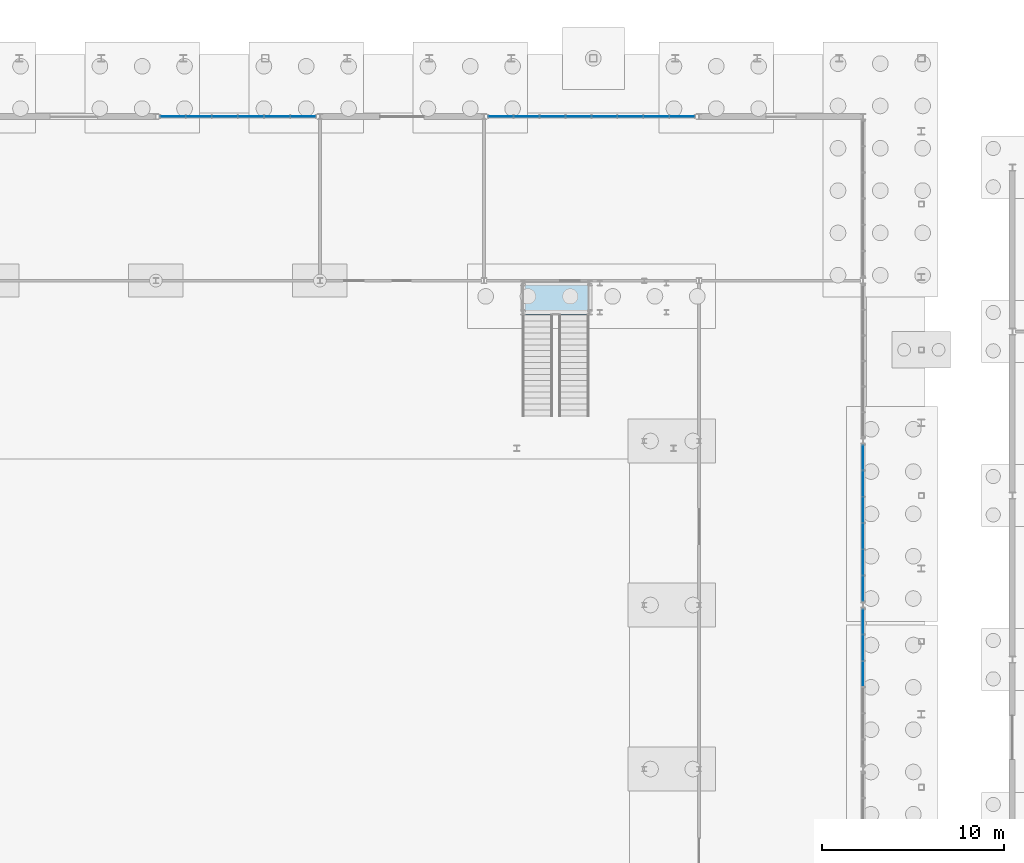
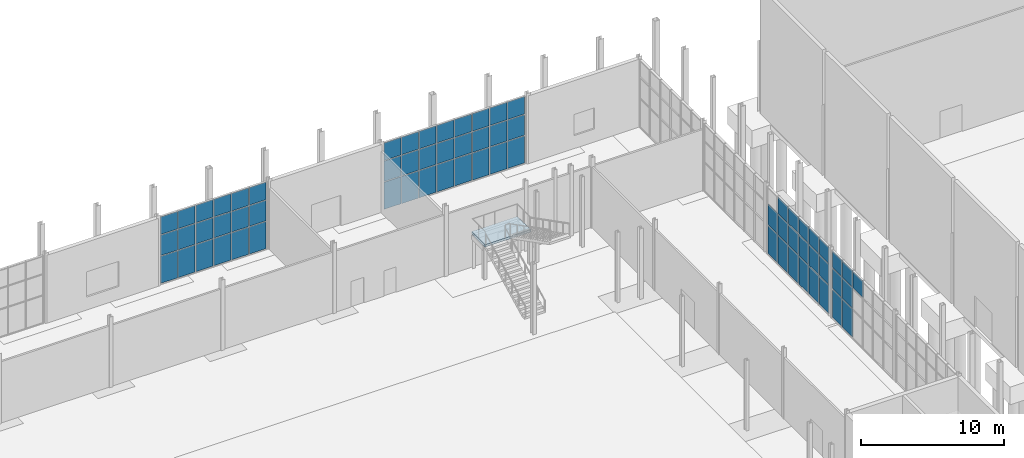
# One storey, part 95 of 131: 66 plates, 1 slab, 5 elements without a shape of their own.
"""IFC4 building model written with IfcOpenShell, lengths in metres."""

from ifc_helpers import new_model, si_unit, direction, frame, origin, origin_2d, place, context, subcontext, project, spatial, polyline, rectangle, outline, extrude, material, layer, layer_set, type_object, element, aggregate, save


model = new_model("IFC4")

# Units and contexts
model_context = context("Model", 3, precision=1e-05, world=origin(), true_north=direction((0.0, 1.0)))
body_context = subcontext(model_context, "Body", "Model", "MODEL_VIEW")
ifc_project = project(units=[si_unit("LENGTHUNIT", "METRE"), si_unit("AREAUNIT", "SQUARE_METRE"), si_unit("VOLUMEUNIT", "CUBIC_METRE"), si_unit("PLANEANGLEUNIT", "RADIAN"), si_unit("MASSUNIT", "GRAM", prefix="KILO")], contexts=[model_context])

# Site, building, storey
site_placement = place(None, origin())
site = spatial("IfcSite", under=ifc_project, at=site_placement, CompositionType="ELEMENT")
building_placement = place(site_placement, origin())
building = spatial("IfcBuilding", under=site, at=building_placement, Name="Cazmaro Siding Exhibition Halls", CompositionType="ELEMENT")
storey_placement = place(building_placement, origin())
storey = spatial("IfcBuildingStorey", under=building, at=storey_placement, Name="L00", CompositionType="ELEMENT", Elevation=0.0)

# Curtain wall, plates
ifc_material_1 = material(Name="Anodized Bronze Aluminum and Solar-Control Low-E Glazing", Category="aluminium")
ifc_layer_1 = layer(ifc_material_1, 0.179931640625)
ifc_layer_set_1 = layer_set([ifc_layer_1], Name="Anodized Bronze Aluminum and Solar-Control Low-E Glazing")
curtain_wall_type_1 = type_object("IfcCurtainWallType", Name="CWS-01", PredefinedType="USERDEFINED", material=ifc_layer_set_1)
curtain_wall_1_placement = place(storey_placement, origin())
curtain_wall_1 = element("IfcCurtainWall", 1, at=curtain_wall_1_placement, inside=storey, type_object=curtain_wall_type_1, Name="Glazed Curtain Wall CWS-01 CW-038", ObjectType="GLAZED CURTAIN WALL", PredefinedType="USERDEFINED")
ifc_material_2 = material(Name="Solar-Control Low-E Double Insulating Glass", Category="glass")
ifc_layer_2 = layer(ifc_material_2, 0.02392578125)
ifc_layer_set_2 = layer_set([ifc_layer_2], Name="Solar-Control Low-E Double Insulating Glass")
plate_type_1 = type_object("IfcPlateType", Name="CWP-01", PredefinedType="CURTAIN_PANEL", material=ifc_layer_set_2)
plate_1_placement = place(storey_placement, frame((137.07080078125, 120.800048828125, 0.06005859375), z_axis=(0.0, 0.0, 1.0), x_axis=(-1.0, 0.0, 0.0)))
plate_1 = element("IfcPlate", 2, at=plate_1_placement, type_object=plate_type_1, Name="CWS-01 panel 1.1", PredefinedType="CURTAIN_PANEL", context=body_context, shape_type="SweptSolid", body=[
    extrude(rectangle(XDim=1.34423828125, YDim=0.02392578125, at=origin_2d()), origin(), (0.0, 0.0, 1.0), 2.31005859375),
])
plate_2_placement = place(storey_placement, frame((137.07080078125, 120.800048828125, 2.43017578125), z_axis=(0.0, 0.0, 1.0), x_axis=(-1.0, 0.0, 0.0)))
plate_2 = element("IfcPlate", 3, at=plate_2_placement, type_object=plate_type_1, Name="CWS-01 panel 1.2", PredefinedType="CURTAIN_PANEL", context=body_context, shape_type="SweptSolid", body=[
    extrude(rectangle(XDim=1.34423828125, YDim=0.02392578125, at=origin_2d()), origin(), (0.0, 0.0, 1.0), 1.739990234375),
])
plate_3_placement = place(storey_placement, frame((137.07080078125, 120.800048828125, 4.22998046875), z_axis=(0.0, 0.0, 1.0), x_axis=(-1.0, 0.0, 0.0)))
plate_3 = element("IfcPlate", 4, at=plate_3_placement, type_object=plate_type_1, Name="CWS-01 panel 1.3", PredefinedType="CURTAIN_PANEL", context=body_context, shape_type="SweptSolid", body=[
    extrude(rectangle(XDim=1.34423828125, YDim=0.02392578125, at=origin_2d()), origin(), (0.0, 0.0, 1.0), 1.489990234375),
])
plate_4_placement = place(storey_placement, frame((135.651611328125, 120.800048828125, 0.06005859375), z_axis=(0.0, 0.0, 1.0), x_axis=(-1.0, 0.0, 0.0)))
plate_4 = element("IfcPlate", 5, at=plate_4_placement, type_object=plate_type_1, Name="CWS-01 panel 2.1", PredefinedType="CURTAIN_PANEL", context=body_context, shape_type="SweptSolid", body=[
    extrude(rectangle(XDim=1.374267578125, YDim=0.02392578125, at=origin_2d()), origin(), (0.0, 0.0, 1.0), 2.31005859375),
])
plate_5_placement = place(storey_placement, frame((135.651611328125, 120.800048828125, 2.43017578125), z_axis=(0.0, 0.0, 1.0), x_axis=(-1.0, 0.0, 0.0)))
plate_5 = element("IfcPlate", 6, at=plate_5_placement, type_object=plate_type_1, Name="CWS-01 panel 2.2", PredefinedType="CURTAIN_PANEL", context=body_context, shape_type="SweptSolid", body=[
    extrude(rectangle(XDim=1.374267578125, YDim=0.02392578125, at=origin_2d()), origin(), (0.0, 0.0, 1.0), 1.739990234375),
])
plate_6_placement = place(storey_placement, frame((135.651611328125, 120.800048828125, 4.22998046875), z_axis=(0.0, 0.0, 1.0), x_axis=(-1.0, 0.0, 0.0)))
plate_6 = element("IfcPlate", 7, at=plate_6_placement, type_object=plate_type_1, Name="CWS-01 panel 2.3", PredefinedType="CURTAIN_PANEL", context=body_context, shape_type="SweptSolid", body=[
    extrude(rectangle(XDim=1.374267578125, YDim=0.02392578125, at=origin_2d()), origin(), (0.0, 0.0, 1.0), 1.489990234375),
])
plate_7_placement = place(storey_placement, frame((134.21728515625, 120.800048828125, 0.06005859375), z_axis=(0.0, 0.0, 1.0), x_axis=(-1.0, 0.0, 0.0)))
plate_7 = element("IfcPlate", 8, at=plate_7_placement, type_object=plate_type_1, Name="CWS-01 panel 3.1", PredefinedType="CURTAIN_PANEL", context=body_context, shape_type="SweptSolid", body=[
    extrude(rectangle(XDim=1.374267578125, YDim=0.02392578125, at=origin_2d()), origin(), (0.0, 0.0, 1.0), 2.31005859375),
])
plate_8_placement = place(storey_placement, frame((134.21728515625, 120.800048828125, 2.43017578125), z_axis=(0.0, 0.0, 1.0), x_axis=(-1.0, 0.0, 0.0)))
plate_8 = element("IfcPlate", 9, at=plate_8_placement, type_object=plate_type_1, Name="CWS-01 panel 3.2", PredefinedType="CURTAIN_PANEL", context=body_context, shape_type="SweptSolid", body=[
    extrude(rectangle(XDim=1.374267578125, YDim=0.02392578125, at=origin_2d()), origin(), (0.0, 0.0, 1.0), 1.739990234375),
])
plate_9_placement = place(storey_placement, frame((134.21728515625, 120.800048828125, 4.22998046875), z_axis=(0.0, 0.0, 1.0), x_axis=(-1.0, 0.0, 0.0)))
plate_9 = element("IfcPlate", 10, at=plate_9_placement, type_object=plate_type_1, Name="CWS-01 panel 3.3", PredefinedType="CURTAIN_PANEL", context=body_context, shape_type="SweptSolid", body=[
    extrude(rectangle(XDim=1.374267578125, YDim=0.02392578125, at=origin_2d()), origin(), (0.0, 0.0, 1.0), 1.489990234375),
])
plate_10_placement = place(storey_placement, frame((132.78271484375, 120.800048828125, 0.06005859375), z_axis=(0.0, 0.0, 1.0), x_axis=(-1.0, 0.0, 0.0)))
plate_10 = element("IfcPlate", 11, at=plate_10_placement, type_object=plate_type_1, Name="CWS-01 panel 4.1", PredefinedType="CURTAIN_PANEL", context=body_context, shape_type="SweptSolid", body=[
    extrude(rectangle(XDim=1.374267578125, YDim=0.02392578125, at=origin_2d()), origin(), (0.0, 0.0, 1.0), 2.31005859375),
])
plate_11_placement = place(storey_placement, frame((132.78271484375, 120.800048828125, 2.43017578125), z_axis=(0.0, 0.0, 1.0), x_axis=(-1.0, 0.0, 0.0)))
plate_11 = element("IfcPlate", 12, at=plate_11_placement, type_object=plate_type_1, Name="CWS-01 panel 4.2", PredefinedType="CURTAIN_PANEL", context=body_context, shape_type="SweptSolid", body=[
    extrude(rectangle(XDim=1.374267578125, YDim=0.02392578125, at=origin_2d()), origin(), (0.0, 0.0, 1.0), 1.739990234375),
])
plate_12_placement = place(storey_placement, frame((132.78271484375, 120.800048828125, 4.22998046875), z_axis=(0.0, 0.0, 1.0), x_axis=(-1.0, 0.0, 0.0)))
plate_12 = element("IfcPlate", 13, at=plate_12_placement, type_object=plate_type_1, Name="CWS-01 panel 4.3", PredefinedType="CURTAIN_PANEL", context=body_context, shape_type="SweptSolid", body=[
    extrude(rectangle(XDim=1.374267578125, YDim=0.02392578125, at=origin_2d()), origin(), (0.0, 0.0, 1.0), 1.489990234375),
])
plate_13_placement = place(storey_placement, frame((131.348388671875, 120.800048828125, 0.06005859375), z_axis=(0.0, 0.0, 1.0), x_axis=(-1.0, 0.0, 0.0)))
plate_13 = element("IfcPlate", 14, at=plate_13_placement, type_object=plate_type_1, Name="CWS-01 panel 5.1", PredefinedType="CURTAIN_PANEL", context=body_context, shape_type="SweptSolid", body=[
    extrude(rectangle(XDim=1.374267578125, YDim=0.02392578125, at=origin_2d()), origin(), (0.0, 0.0, 1.0), 2.31005859375),
])
plate_14_placement = place(storey_placement, frame((131.348388671875, 120.800048828125, 2.43017578125), z_axis=(0.0, 0.0, 1.0), x_axis=(-1.0, 0.0, 0.0)))
plate_14 = element("IfcPlate", 15, at=plate_14_placement, type_object=plate_type_1, Name="CWS-01 panel 5.2", PredefinedType="CURTAIN_PANEL", context=body_context, shape_type="SweptSolid", body=[
    extrude(rectangle(XDim=1.374267578125, YDim=0.02392578125, at=origin_2d()), origin(), (0.0, 0.0, 1.0), 1.739990234375),
])
plate_15_placement = place(storey_placement, frame((131.348388671875, 120.800048828125, 4.22998046875), z_axis=(0.0, 0.0, 1.0), x_axis=(-1.0, 0.0, 0.0)))
plate_15 = element("IfcPlate", 16, at=plate_15_placement, type_object=plate_type_1, Name="CWS-01 panel 5.3", PredefinedType="CURTAIN_PANEL", context=body_context, shape_type="SweptSolid", body=[
    extrude(rectangle(XDim=1.374267578125, YDim=0.02392578125, at=origin_2d()), origin(), (0.0, 0.0, 1.0), 1.489990234375),
])
plate_16_placement = place(storey_placement, frame((129.92919921875, 120.800048828125, 0.06005859375), z_axis=(0.0, 0.0, 1.0), x_axis=(-1.0, 0.0, 0.0)))
plate_16 = element("IfcPlate", 17, at=plate_16_placement, type_object=plate_type_1, Name="CWS-01 panel 6.1", PredefinedType="CURTAIN_PANEL", context=body_context, shape_type="SweptSolid", body=[
    extrude(rectangle(XDim=1.34423828125, YDim=0.02392578125, at=origin_2d()), origin(), (0.0, 0.0, 1.0), 2.31005859375),
])
plate_17_placement = place(storey_placement, frame((129.92919921875, 120.800048828125, 2.43017578125), z_axis=(0.0, 0.0, 1.0), x_axis=(-1.0, 0.0, 0.0)))
plate_17 = element("IfcPlate", 18, at=plate_17_placement, type_object=plate_type_1, Name="CWS-01 panel 6.2", PredefinedType="CURTAIN_PANEL", context=body_context, shape_type="SweptSolid", body=[
    extrude(rectangle(XDim=1.34423828125, YDim=0.02392578125, at=origin_2d()), origin(), (0.0, 0.0, 1.0), 1.739990234375),
])
plate_18_placement = place(storey_placement, frame((129.92919921875, 120.800048828125, 4.22998046875), z_axis=(0.0, 0.0, 1.0), x_axis=(-1.0, 0.0, 0.0)))
plate_18 = element("IfcPlate", 19, at=plate_18_placement, type_object=plate_type_1, Name="CWS-01 panel 6.3", PredefinedType="CURTAIN_PANEL", context=body_context, shape_type="SweptSolid", body=[
    extrude(rectangle(XDim=1.34423828125, YDim=0.02392578125, at=origin_2d()), origin(), (0.0, 0.0, 1.0), 1.489990234375),
])
aggregate(curtain_wall_1, [plate_1, plate_2, plate_3, plate_4, plate_5, plate_6, plate_7, plate_8, plate_9, plate_10, plate_11, plate_12, plate_13, plate_14, plate_15, plate_16, plate_17, plate_18])

curtain_wall_2_placement = place(storey_placement, origin())
curtain_wall_2 = element("IfcCurtainWall", 20, at=curtain_wall_2_placement, inside=storey, type_object=curtain_wall_type_1, Name="Glazed Curtain Wall CWS-01 CW-046", ObjectType="GLAZED CURTAIN WALL", PredefinedType="USERDEFINED")
plate_19_placement = place(storey_placement, frame((157.875244140625, 120.800048828125, 0.06005859375), z_axis=(0.0, 0.0, 1.0), x_axis=(-1.0, 0.0, 0.0)))
plate_19 = element("IfcPlate", 21, at=plate_19_placement, type_object=plate_type_1, Name="CWS-01 panel 1.1", PredefinedType="CURTAIN_PANEL", context=body_context, shape_type="SweptSolid", body=[
    extrude(rectangle(XDim=1.335693359375, YDim=0.02392578125, at=origin_2d()), origin(), (0.0, 0.0, 1.0), 2.31005859375),
])
plate_20_placement = place(storey_placement, frame((157.875244140625, 120.800048828125, 2.43017578125), z_axis=(0.0, 0.0, 1.0), x_axis=(-1.0, 0.0, 0.0)))
plate_20 = element("IfcPlate", 22, at=plate_20_placement, type_object=plate_type_1, Name="CWS-01 panel 1.2", PredefinedType="CURTAIN_PANEL", context=body_context, shape_type="SweptSolid", body=[
    extrude(rectangle(XDim=1.335693359375, YDim=0.02392578125, at=origin_2d()), origin(), (0.0, 0.0, 1.0), 1.739990234375),
])
plate_21_placement = place(storey_placement, frame((157.875244140625, 120.800048828125, 4.22998046875), z_axis=(0.0, 0.0, 1.0), x_axis=(-1.0, 0.0, 0.0)))
plate_21 = element("IfcPlate", 23, at=plate_21_placement, type_object=plate_type_1, Name="CWS-01 panel 1.3", PredefinedType="CURTAIN_PANEL", context=body_context, shape_type="SweptSolid", body=[
    extrude(rectangle(XDim=1.335693359375, YDim=0.02392578125, at=origin_2d()), origin(), (0.0, 0.0, 1.0), 1.489990234375),
])
plate_22_placement = place(storey_placement, frame((156.46435546875, 120.800048828125, 0.06005859375), z_axis=(0.0, 0.0, 1.0), x_axis=(-1.0, 0.0, 0.0)))
plate_22 = element("IfcPlate", 24, at=plate_22_placement, type_object=plate_type_1, Name="CWS-01 panel 2.1", PredefinedType="CURTAIN_PANEL", context=body_context, shape_type="SweptSolid", body=[
    extrude(rectangle(XDim=1.36572265625, YDim=0.02392578125, at=origin_2d()), origin(), (0.0, 0.0, 1.0), 2.31005859375),
])
plate_23_placement = place(storey_placement, frame((156.46435546875, 120.800048828125, 2.43017578125), z_axis=(0.0, 0.0, 1.0), x_axis=(-1.0, 0.0, 0.0)))
plate_23 = element("IfcPlate", 25, at=plate_23_placement, type_object=plate_type_1, Name="CWS-01 panel 2.2", PredefinedType="CURTAIN_PANEL", context=body_context, shape_type="SweptSolid", body=[
    extrude(rectangle(XDim=1.36572265625, YDim=0.02392578125, at=origin_2d()), origin(), (0.0, 0.0, 1.0), 1.739990234375),
])
plate_24_placement = place(storey_placement, frame((156.46435546875, 120.800048828125, 4.22998046875), z_axis=(0.0, 0.0, 1.0), x_axis=(-1.0, 0.0, 0.0)))
plate_24 = element("IfcPlate", 26, at=plate_24_placement, type_object=plate_type_1, Name="CWS-01 panel 2.3", PredefinedType="CURTAIN_PANEL", context=body_context, shape_type="SweptSolid", body=[
    extrude(rectangle(XDim=1.36572265625, YDim=0.02392578125, at=origin_2d()), origin(), (0.0, 0.0, 1.0), 1.489990234375),
])
plate_25_placement = place(storey_placement, frame((155.03857421875, 120.800048828125, 0.06005859375), z_axis=(0.0, 0.0, 1.0), x_axis=(-1.0, 0.0, 0.0)))
plate_25 = element("IfcPlate", 27, at=plate_25_placement, type_object=plate_type_1, Name="CWS-01 panel 3.1", PredefinedType="CURTAIN_PANEL", context=body_context, shape_type="SweptSolid", body=[
    extrude(rectangle(XDim=1.36572265625, YDim=0.02392578125, at=origin_2d()), origin(), (0.0, 0.0, 1.0), 2.31005859375),
])
plate_26_placement = place(storey_placement, frame((155.03857421875, 120.800048828125, 2.43017578125), z_axis=(0.0, 0.0, 1.0), x_axis=(-1.0, 0.0, 0.0)))
plate_26 = element("IfcPlate", 28, at=plate_26_placement, type_object=plate_type_1, Name="CWS-01 panel 3.2", PredefinedType="CURTAIN_PANEL", context=body_context, shape_type="SweptSolid", body=[
    extrude(rectangle(XDim=1.36572265625, YDim=0.02392578125, at=origin_2d()), origin(), (0.0, 0.0, 1.0), 1.739990234375),
])
plate_27_placement = place(storey_placement, frame((155.03857421875, 120.800048828125, 4.22998046875), z_axis=(0.0, 0.0, 1.0), x_axis=(-1.0, 0.0, 0.0)))
plate_27 = element("IfcPlate", 29, at=plate_27_placement, type_object=plate_type_1, Name="CWS-01 panel 3.3", PredefinedType="CURTAIN_PANEL", context=body_context, shape_type="SweptSolid", body=[
    extrude(rectangle(XDim=1.36572265625, YDim=0.02392578125, at=origin_2d()), origin(), (0.0, 0.0, 1.0), 1.489990234375),
])
plate_28_placement = place(storey_placement, frame((153.61279296875, 120.800048828125, 0.06005859375), z_axis=(0.0, 0.0, 1.0), x_axis=(-1.0, 0.0, 0.0)))
plate_28 = element("IfcPlate", 30, at=plate_28_placement, type_object=plate_type_1, Name="CWS-01 panel 4.1", PredefinedType="CURTAIN_PANEL", context=body_context, shape_type="SweptSolid", body=[
    extrude(rectangle(XDim=1.36572265625, YDim=0.02392578125, at=origin_2d()), origin(), (0.0, 0.0, 1.0), 2.31005859375),
])
plate_29_placement = place(storey_placement, frame((153.61279296875, 120.800048828125, 2.43017578125), z_axis=(0.0, 0.0, 1.0), x_axis=(-1.0, 0.0, 0.0)))
plate_29 = element("IfcPlate", 31, at=plate_29_placement, type_object=plate_type_1, Name="CWS-01 panel 4.2", PredefinedType="CURTAIN_PANEL", context=body_context, shape_type="SweptSolid", body=[
    extrude(rectangle(XDim=1.36572265625, YDim=0.02392578125, at=origin_2d()), origin(), (0.0, 0.0, 1.0), 1.739990234375),
])
plate_30_placement = place(storey_placement, frame((153.61279296875, 120.800048828125, 4.22998046875), z_axis=(0.0, 0.0, 1.0), x_axis=(-1.0, 0.0, 0.0)))
plate_30 = element("IfcPlate", 32, at=plate_30_placement, type_object=plate_type_1, Name="CWS-01 panel 4.3", PredefinedType="CURTAIN_PANEL", context=body_context, shape_type="SweptSolid", body=[
    extrude(rectangle(XDim=1.36572265625, YDim=0.02392578125, at=origin_2d()), origin(), (0.0, 0.0, 1.0), 1.489990234375),
])
plate_31_placement = place(storey_placement, frame((152.18701171875, 120.800048828125, 0.06005859375), z_axis=(0.0, 0.0, 1.0), x_axis=(-1.0, 0.0, 0.0)))
plate_31 = element("IfcPlate", 33, at=plate_31_placement, type_object=plate_type_1, Name="CWS-01 panel 5.1", PredefinedType="CURTAIN_PANEL", context=body_context, shape_type="SweptSolid", body=[
    extrude(rectangle(XDim=1.36572265625, YDim=0.02392578125, at=origin_2d()), origin(), (0.0, 0.0, 1.0), 2.31005859375),
])
plate_32_placement = place(storey_placement, frame((152.18701171875, 120.800048828125, 2.43017578125), z_axis=(0.0, 0.0, 1.0), x_axis=(-1.0, 0.0, 0.0)))
plate_32 = element("IfcPlate", 34, at=plate_32_placement, type_object=plate_type_1, Name="CWS-01 panel 5.2", PredefinedType="CURTAIN_PANEL", context=body_context, shape_type="SweptSolid", body=[
    extrude(rectangle(XDim=1.36572265625, YDim=0.02392578125, at=origin_2d()), origin(), (0.0, 0.0, 1.0), 1.739990234375),
])
plate_33_placement = place(storey_placement, frame((152.18701171875, 120.800048828125, 4.22998046875), z_axis=(0.0, 0.0, 1.0), x_axis=(-1.0, 0.0, 0.0)))
plate_33 = element("IfcPlate", 35, at=plate_33_placement, type_object=plate_type_1, Name="CWS-01 panel 5.3", PredefinedType="CURTAIN_PANEL", context=body_context, shape_type="SweptSolid", body=[
    extrude(rectangle(XDim=1.36572265625, YDim=0.02392578125, at=origin_2d()), origin(), (0.0, 0.0, 1.0), 1.489990234375),
])
plate_34_placement = place(storey_placement, frame((150.761474609375, 120.800048828125, 0.06005859375), z_axis=(0.0, 0.0, 1.0), x_axis=(-1.0, 0.0, 0.0)))
plate_34 = element("IfcPlate", 36, at=plate_34_placement, type_object=plate_type_1, Name="CWS-01 panel 6.1", PredefinedType="CURTAIN_PANEL", context=body_context, shape_type="SweptSolid", body=[
    extrude(rectangle(XDim=1.36572265625, YDim=0.02392578125, at=origin_2d()), origin(), (0.0, 0.0, 1.0), 2.31005859375),
])
plate_35_placement = place(storey_placement, frame((150.761474609375, 120.800048828125, 2.43017578125), z_axis=(0.0, 0.0, 1.0), x_axis=(-1.0, 0.0, 0.0)))
plate_35 = element("IfcPlate", 37, at=plate_35_placement, type_object=plate_type_1, Name="CWS-01 panel 6.2", PredefinedType="CURTAIN_PANEL", context=body_context, shape_type="SweptSolid", body=[
    extrude(rectangle(XDim=1.36572265625, YDim=0.02392578125, at=origin_2d()), origin(), (0.0, 0.0, 1.0), 1.739990234375),
])
plate_36_placement = place(storey_placement, frame((150.761474609375, 120.800048828125, 4.22998046875), z_axis=(0.0, 0.0, 1.0), x_axis=(-1.0, 0.0, 0.0)))
plate_36 = element("IfcPlate", 38, at=plate_36_placement, type_object=plate_type_1, Name="CWS-01 panel 6.3", PredefinedType="CURTAIN_PANEL", context=body_context, shape_type="SweptSolid", body=[
    extrude(rectangle(XDim=1.36572265625, YDim=0.02392578125, at=origin_2d()), origin(), (0.0, 0.0, 1.0), 1.489990234375),
])
plate_37_placement = place(storey_placement, frame((149.335693359375, 120.800048828125, 0.06005859375), z_axis=(0.0, 0.0, 1.0), x_axis=(-1.0, 0.0, 0.0)))
plate_37 = element("IfcPlate", 39, at=plate_37_placement, type_object=plate_type_1, Name="CWS-01 panel 7.1", PredefinedType="CURTAIN_PANEL", context=body_context, shape_type="SweptSolid", body=[
    extrude(rectangle(XDim=1.36572265625, YDim=0.02392578125, at=origin_2d()), origin(), (0.0, 0.0, 1.0), 2.31005859375),
])
plate_38_placement = place(storey_placement, frame((149.335693359375, 120.800048828125, 2.43017578125), z_axis=(0.0, 0.0, 1.0), x_axis=(-1.0, 0.0, 0.0)))
plate_38 = element("IfcPlate", 40, at=plate_38_placement, type_object=plate_type_1, Name="CWS-01 panel 7.2", PredefinedType="CURTAIN_PANEL", context=body_context, shape_type="SweptSolid", body=[
    extrude(rectangle(XDim=1.36572265625, YDim=0.02392578125, at=origin_2d()), origin(), (0.0, 0.0, 1.0), 1.739990234375),
])
plate_39_placement = place(storey_placement, frame((149.335693359375, 120.800048828125, 4.22998046875), z_axis=(0.0, 0.0, 1.0), x_axis=(-1.0, 0.0, 0.0)))
plate_39 = element("IfcPlate", 41, at=plate_39_placement, type_object=plate_type_1, Name="CWS-01 panel 7.3", PredefinedType="CURTAIN_PANEL", context=body_context, shape_type="SweptSolid", body=[
    extrude(rectangle(XDim=1.36572265625, YDim=0.02392578125, at=origin_2d()), origin(), (0.0, 0.0, 1.0), 1.489990234375),
])
plate_40_placement = place(storey_placement, frame((147.9248046875, 120.800048828125, 0.06005859375), z_axis=(0.0, 0.0, 1.0), x_axis=(-1.0, 0.0, 0.0)))
plate_40 = element("IfcPlate", 42, at=plate_40_placement, type_object=plate_type_1, Name="CWS-01 panel 8.1", PredefinedType="CURTAIN_PANEL", context=body_context, shape_type="SweptSolid", body=[
    extrude(rectangle(XDim=1.335693359375, YDim=0.02392578125, at=origin_2d()), origin(), (0.0, 0.0, 1.0), 2.31005859375),
])
plate_41_placement = place(storey_placement, frame((147.9248046875, 120.800048828125, 2.43017578125), z_axis=(0.0, 0.0, 1.0), x_axis=(-1.0, 0.0, 0.0)))
plate_41 = element("IfcPlate", 43, at=plate_41_placement, type_object=plate_type_1, Name="CWS-01 panel 8.2", PredefinedType="CURTAIN_PANEL", context=body_context, shape_type="SweptSolid", body=[
    extrude(rectangle(XDim=1.335693359375, YDim=0.02392578125, at=origin_2d()), origin(), (0.0, 0.0, 1.0), 1.739990234375),
])
plate_42_placement = place(storey_placement, frame((147.9248046875, 120.800048828125, 4.22998046875), z_axis=(0.0, 0.0, 1.0), x_axis=(-1.0, 0.0, 0.0)))
plate_42 = element("IfcPlate", 44, at=plate_42_placement, type_object=plate_type_1, Name="CWS-01 panel 8.3", PredefinedType="CURTAIN_PANEL", context=body_context, shape_type="SweptSolid", body=[
    extrude(rectangle(XDim=1.335693359375, YDim=0.02392578125, at=origin_2d()), origin(), (0.0, 0.0, 1.0), 1.489990234375),
])
aggregate(curtain_wall_2, [plate_19, plate_20, plate_21, plate_22, plate_23, plate_24, plate_25, plate_26, plate_27, plate_28, plate_29, plate_30, plate_31, plate_32, plate_33, plate_34, plate_35, plate_36, plate_37, plate_38, plate_39, plate_40, plate_41, plate_42])

ifc_material_3 = material(Name="Anodized Bronze Aluminum and Solar-Control Low-E Glazing", Category="aluminium")
ifc_layer_3 = layer(ifc_material_3, 0.219970703125)
ifc_layer_set_3 = layer_set([ifc_layer_3], Name="Anodized Bronze Aluminum and Solar-Control Low-E Glazing")
curtain_wall_type_2 = type_object("IfcCurtainWallType", Name="CWS-03", PredefinedType="USERDEFINED", material=ifc_layer_set_3)
curtain_wall_3_placement = place(storey_placement, origin())
curtain_wall_3 = element("IfcCurtainWall", 45, at=curtain_wall_3_placement, inside=storey, type_object=curtain_wall_type_2, Name="Glazed Curtain Wall CWS-03 CW-068", ObjectType="GLAZED CURTAIN WALL", PredefinedType="USERDEFINED")
ifc_material_4 = material(Name="Solar-Control Low-E Double Insulating Glass", Category="glass")
ifc_layer_4 = layer(ifc_material_4, 0.0458984375)
ifc_layer_set_4 = layer_set([ifc_layer_4], Name="Solar-Control Low-E Double Insulating Glass")
plate_type_2 = type_object("IfcPlateType", Name="CWP-03", PredefinedType="CURTAIN_PANEL", material=ifc_layer_set_4)
plate_43_placement = place(storey_placement, frame((167.800048828125, 90.220458984375, 4.3349609375), z_axis=(0.0, 0.0, 1.0), x_axis=(0.0, 1.0, 0.0)))
plate_43 = element("IfcPlate", 46, at=plate_43_placement, type_object=plate_type_2, Name="CWS-03 panel 4.3", PredefinedType="CURTAIN_PANEL", context=body_context, shape_type="SweptSolid", body=[
    extrude(rectangle(XDim=1.37109375, YDim=0.0458984375, at=origin_2d()), origin(), (0.0, 0.0, 1.0), 1.375),
])
plate_44_placement = place(storey_placement, frame((167.800048828125, 91.66162109375, 0.070068359375), z_axis=(0.0, 0.0, 1.0), x_axis=(0.0, 1.0, 0.0)))
plate_44 = element("IfcPlate", 47, at=plate_44_placement, type_object=plate_type_2, Name="CWS-03 panel 5.1", PredefinedType="CURTAIN_PANEL", context=body_context, shape_type="SweptSolid", body=[
    extrude(rectangle(XDim=1.37109375, YDim=0.0458984375, at=origin_2d()), origin(), (0.0, 0.0, 1.0), 2.39501953125),
])
plate_45_placement = place(storey_placement, frame((167.800048828125, 91.66162109375, 2.534912109375), z_axis=(0.0, 0.0, 1.0), x_axis=(0.0, 1.0, 0.0)))
plate_45 = element("IfcPlate", 48, at=plate_45_placement, type_object=plate_type_2, Name="CWS-03 panel 5.2", PredefinedType="CURTAIN_PANEL", context=body_context, shape_type="SweptSolid", body=[
    extrude(rectangle(XDim=1.37109375, YDim=0.0458984375, at=origin_2d()), origin(), (0.0, 0.0, 1.0), 1.72998046875),
])
plate_46_placement = place(storey_placement, frame((167.800048828125, 91.66162109375, 4.3349609375), z_axis=(0.0, 0.0, 1.0), x_axis=(0.0, 1.0, 0.0)))
plate_46 = element("IfcPlate", 49, at=plate_46_placement, type_object=plate_type_2, Name="CWS-03 panel 5.3", PredefinedType="CURTAIN_PANEL", context=body_context, shape_type="SweptSolid", body=[
    extrude(rectangle(XDim=1.37109375, YDim=0.0458984375, at=origin_2d()), origin(), (0.0, 0.0, 1.0), 1.375),
])
plate_47_placement = place(storey_placement, frame((167.800048828125, 93.0849609375, 0.070068359375), z_axis=(0.0, 0.0, 1.0), x_axis=(0.0, 1.0, 0.0)))
plate_47 = element("IfcPlate", 50, at=plate_47_placement, type_object=plate_type_2, Name="CWS-03 panel 6.1", PredefinedType="CURTAIN_PANEL", context=body_context, shape_type="SweptSolid", body=[
    extrude(rectangle(XDim=1.3359375, YDim=0.0458984375, at=origin_2d()), origin(), (0.0, 0.0, 1.0), 2.39501953125),
])
plate_48_placement = place(storey_placement, frame((167.800048828125, 93.0849609375, 2.534912109375), z_axis=(0.0, 0.0, 1.0), x_axis=(0.0, 1.0, 0.0)))
plate_48 = element("IfcPlate", 51, at=plate_48_placement, type_object=plate_type_2, Name="CWS-03 panel 6.2", PredefinedType="CURTAIN_PANEL", context=body_context, shape_type="SweptSolid", body=[
    extrude(rectangle(XDim=1.3359375, YDim=0.0458984375, at=origin_2d()), origin(), (0.0, 0.0, 1.0), 1.72998046875),
])
plate_49_placement = place(storey_placement, frame((167.800048828125, 93.0849609375, 4.3349609375), z_axis=(0.0, 0.0, 1.0), x_axis=(0.0, 1.0, 0.0)))
plate_49 = element("IfcPlate", 52, at=plate_49_placement, type_object=plate_type_2, Name="CWS-03 panel 6.3", PredefinedType="CURTAIN_PANEL", context=body_context, shape_type="SweptSolid", body=[
    extrude(rectangle(XDim=1.3359375, YDim=0.0458984375, at=origin_2d()), origin(), (0.0, 0.0, 1.0), 1.375),
])
aggregate(curtain_wall_3, [plate_43, plate_44, plate_45, plate_46, plate_47, plate_48, plate_49])

curtain_wall_4_placement = place(storey_placement, origin())
curtain_wall_4 = element("IfcCurtainWall", 53, at=curtain_wall_4_placement, inside=storey, type_object=curtain_wall_type_2, Name="Glazed Curtain Wall CWS-03 CW-071", ObjectType="GLAZED CURTAIN WALL", PredefinedType="USERDEFINED")
plate_50_placement = place(storey_placement, frame((167.800048828125, 94.9150390625, 0.070068359375), z_axis=(0.0, 0.0, 1.0), x_axis=(0.0, 1.0, 0.0)))
plate_50 = element("IfcPlate", 54, at=plate_50_placement, type_object=plate_type_2, Name="CWS-03 panel 1.1", PredefinedType="CURTAIN_PANEL", context=body_context, shape_type="SweptSolid", body=[
    extrude(rectangle(XDim=1.3359375, YDim=0.0458984375, at=origin_2d()), origin(), (0.0, 0.0, 1.0), 2.39501953125),
])
plate_51_placement = place(storey_placement, frame((167.800048828125, 94.9150390625, 2.534912109375), z_axis=(0.0, 0.0, 1.0), x_axis=(0.0, 1.0, 0.0)))
plate_51 = element("IfcPlate", 55, at=plate_51_placement, type_object=plate_type_2, Name="CWS-03 panel 1.2", PredefinedType="CURTAIN_PANEL", context=body_context, shape_type="SweptSolid", body=[
    extrude(rectangle(XDim=1.3359375, YDim=0.0458984375, at=origin_2d()), origin(), (0.0, 0.0, 1.0), 1.72998046875),
])
plate_52_placement = place(storey_placement, frame((167.800048828125, 94.9150390625, 4.3349609375), z_axis=(0.0, 0.0, 1.0), x_axis=(0.0, 1.0, 0.0)))
plate_52 = element("IfcPlate", 56, at=plate_52_placement, type_object=plate_type_2, Name="CWS-03 panel 1.3", PredefinedType="CURTAIN_PANEL", context=body_context, shape_type="SweptSolid", body=[
    extrude(rectangle(XDim=1.3359375, YDim=0.0458984375, at=origin_2d()), origin(), (0.0, 0.0, 1.0), 1.375),
])
plate_53_placement = place(storey_placement, frame((167.800048828125, 96.33837890625, 0.070068359375), z_axis=(0.0, 0.0, 1.0), x_axis=(0.0, 1.0, 0.0)))
plate_53 = element("IfcPlate", 57, at=plate_53_placement, type_object=plate_type_2, Name="CWS-03 panel 2.1", PredefinedType="CURTAIN_PANEL", context=body_context, shape_type="SweptSolid", body=[
    extrude(rectangle(XDim=1.37109375, YDim=0.0458984375, at=origin_2d()), origin(), (0.0, 0.0, 1.0), 2.39501953125),
])
plate_54_placement = place(storey_placement, frame((167.800048828125, 96.33837890625, 2.534912109375), z_axis=(0.0, 0.0, 1.0), x_axis=(0.0, 1.0, 0.0)))
plate_54 = element("IfcPlate", 58, at=plate_54_placement, type_object=plate_type_2, Name="CWS-03 panel 2.2", PredefinedType="CURTAIN_PANEL", context=body_context, shape_type="SweptSolid", body=[
    extrude(rectangle(XDim=1.37109375, YDim=0.0458984375, at=origin_2d()), origin(), (0.0, 0.0, 1.0), 1.72998046875),
])
plate_55_placement = place(storey_placement, frame((167.800048828125, 96.33837890625, 4.3349609375), z_axis=(0.0, 0.0, 1.0), x_axis=(0.0, 1.0, 0.0)))
plate_55 = element("IfcPlate", 59, at=plate_55_placement, type_object=plate_type_2, Name="CWS-03 panel 2.3", PredefinedType="CURTAIN_PANEL", context=body_context, shape_type="SweptSolid", body=[
    extrude(rectangle(XDim=1.37109375, YDim=0.0458984375, at=origin_2d()), origin(), (0.0, 0.0, 1.0), 1.375),
])
plate_56_placement = place(storey_placement, frame((167.800048828125, 97.779541015625, 0.070068359375), z_axis=(0.0, 0.0, 1.0), x_axis=(0.0, 1.0, 0.0)))
plate_56 = element("IfcPlate", 60, at=plate_56_placement, type_object=plate_type_2, Name="CWS-03 panel 3.1", PredefinedType="CURTAIN_PANEL", context=body_context, shape_type="SweptSolid", body=[
    extrude(rectangle(XDim=1.37109375, YDim=0.0458984375, at=origin_2d()), origin(), (0.0, 0.0, 1.0), 2.39501953125),
])
plate_57_placement = place(storey_placement, frame((167.800048828125, 97.779541015625, 2.534912109375), z_axis=(0.0, 0.0, 1.0), x_axis=(0.0, 1.0, 0.0)))
plate_57 = element("IfcPlate", 61, at=plate_57_placement, type_object=plate_type_2, Name="CWS-03 panel 3.2", PredefinedType="CURTAIN_PANEL", context=body_context, shape_type="SweptSolid", body=[
    extrude(rectangle(XDim=1.37109375, YDim=0.0458984375, at=origin_2d()), origin(), (0.0, 0.0, 1.0), 1.72998046875),
])
plate_58_placement = place(storey_placement, frame((167.800048828125, 97.779541015625, 4.3349609375), z_axis=(0.0, 0.0, 1.0), x_axis=(0.0, 1.0, 0.0)))
plate_58 = element("IfcPlate", 62, at=plate_58_placement, type_object=plate_type_2, Name="CWS-03 panel 3.3", PredefinedType="CURTAIN_PANEL", context=body_context, shape_type="SweptSolid", body=[
    extrude(rectangle(XDim=1.37109375, YDim=0.0458984375, at=origin_2d()), origin(), (0.0, 0.0, 1.0), 1.375),
])
plate_59_placement = place(storey_placement, frame((167.800048828125, 99.220458984375, 0.070068359375), z_axis=(0.0, 0.0, 1.0), x_axis=(0.0, 1.0, 0.0)))
plate_59 = element("IfcPlate", 63, at=plate_59_placement, type_object=plate_type_2, Name="CWS-03 panel 4.1", PredefinedType="CURTAIN_PANEL", context=body_context, shape_type="SweptSolid", body=[
    extrude(rectangle(XDim=1.37109375, YDim=0.0458984375, at=origin_2d()), origin(), (0.0, 0.0, 1.0), 2.39501953125),
])
plate_60_placement = place(storey_placement, frame((167.800048828125, 99.220458984375, 2.534912109375), z_axis=(0.0, 0.0, 1.0), x_axis=(0.0, 1.0, 0.0)))
plate_60 = element("IfcPlate", 64, at=plate_60_placement, type_object=plate_type_2, Name="CWS-03 panel 4.2", PredefinedType="CURTAIN_PANEL", context=body_context, shape_type="SweptSolid", body=[
    extrude(rectangle(XDim=1.37109375, YDim=0.0458984375, at=origin_2d()), origin(), (0.0, 0.0, 1.0), 1.72998046875),
])
plate_61_placement = place(storey_placement, frame((167.800048828125, 99.220458984375, 4.3349609375), z_axis=(0.0, 0.0, 1.0), x_axis=(0.0, 1.0, 0.0)))
plate_61 = element("IfcPlate", 65, at=plate_61_placement, type_object=plate_type_2, Name="CWS-03 panel 4.3", PredefinedType="CURTAIN_PANEL", context=body_context, shape_type="SweptSolid", body=[
    extrude(rectangle(XDim=1.37109375, YDim=0.0458984375, at=origin_2d()), origin(), (0.0, 0.0, 1.0), 1.375),
])
plate_62_placement = place(storey_placement, frame((167.800048828125, 100.66162109375, 0.070068359375), z_axis=(0.0, 0.0, 1.0), x_axis=(0.0, 1.0, 0.0)))
plate_62 = element("IfcPlate", 66, at=plate_62_placement, type_object=plate_type_2, Name="CWS-03 panel 5.1", PredefinedType="CURTAIN_PANEL", context=body_context, shape_type="SweptSolid", body=[
    extrude(rectangle(XDim=1.37109375, YDim=0.0458984375, at=origin_2d()), origin(), (0.0, 0.0, 1.0), 2.39501953125),
])
plate_63_placement = place(storey_placement, frame((167.800048828125, 100.66162109375, 2.534912109375), z_axis=(0.0, 0.0, 1.0), x_axis=(0.0, 1.0, 0.0)))
plate_63 = element("IfcPlate", 67, at=plate_63_placement, type_object=plate_type_2, Name="CWS-03 panel 5.2", PredefinedType="CURTAIN_PANEL", context=body_context, shape_type="SweptSolid", body=[
    extrude(rectangle(XDim=1.37109375, YDim=0.0458984375, at=origin_2d()), origin(), (0.0, 0.0, 1.0), 1.72998046875),
])
plate_64_placement = place(storey_placement, frame((167.800048828125, 100.66162109375, 4.3349609375), z_axis=(0.0, 0.0, 1.0), x_axis=(0.0, 1.0, 0.0)))
plate_64 = element("IfcPlate", 68, at=plate_64_placement, type_object=plate_type_2, Name="CWS-03 panel 5.3", PredefinedType="CURTAIN_PANEL", context=body_context, shape_type="SweptSolid", body=[
    extrude(rectangle(XDim=1.37109375, YDim=0.0458984375, at=origin_2d()), origin(), (0.0, 0.0, 1.0), 1.375),
])
plate_65_placement = place(storey_placement, frame((167.800048828125, 102.0849609375, 0.070068359375), z_axis=(0.0, 0.0, 1.0), x_axis=(0.0, 1.0, 0.0)))
plate_65 = element("IfcPlate", 69, at=plate_65_placement, type_object=plate_type_2, Name="CWS-03 panel 6.1", PredefinedType="CURTAIN_PANEL", context=body_context, shape_type="SweptSolid", body=[
    extrude(rectangle(XDim=1.3359375, YDim=0.0458984375, at=origin_2d()), origin(), (0.0, 0.0, 1.0), 2.39501953125),
])
plate_66_placement = place(storey_placement, frame((167.800048828125, 102.0849609375, 2.534912109375), z_axis=(0.0, 0.0, 1.0), x_axis=(0.0, 1.0, 0.0)))
plate_66 = element("IfcPlate", 70, at=plate_66_placement, type_object=plate_type_2, Name="CWS-03 panel 6.2", PredefinedType="CURTAIN_PANEL", context=body_context, shape_type="SweptSolid", body=[
    extrude(rectangle(XDim=1.3359375, YDim=0.0458984375, at=origin_2d()), origin(), (0.0, 0.0, 1.0), 1.72998046875),
])
aggregate(curtain_wall_4, [plate_50, plate_51, plate_52, plate_53, plate_54, plate_55, plate_56, plate_57, plate_58, plate_59, plate_60, plate_61, plate_62, plate_63, plate_64, plate_65, plate_66])

# Stair, slab
ifc_material_5 = material(Name="Steel ASTM A992 Grade 50 Stringers with Precast Treads", Category="concrete")
stair_type = type_object("IfcStairType", Name="STT-24", PredefinedType="TWO_STRAIGHT_RUN_STAIR", material=ifc_material_5)
stair_placement = place(storey_placement, origin())
stair = element("IfcStair", 71, at=stair_placement, inside=storey, type_object=stair_type, Name="Hall A East Feature Gallery Stair L00-L01 ST-24", PredefinedType="TWO_STRAIGHT_RUN_STAIR")
ifc_material_6 = material(Name="Concrete f'c 40 MPa", Category="concrete")
ifc_layer_5 = layer(ifc_material_6, 0.199951171875)
ifc_layer_set_5 = layer_set([ifc_layer_5], Name="Concrete f'c 40 MPa")
slab_type = type_object("IfcSlabType", Name="LND-24", PredefinedType="LANDING", material=ifc_layer_set_5)
slab_placement = place(storey_placement, frame((0.0, 0.0, 2.800048828125)))
slab = element("IfcSlab", 72, at=slab_placement, type_object=slab_type, Name="ST-24 landing 1", PredefinedType="LANDING", context=body_context, shape_type="SweptSolid", body=[
    extrude(outline(polyline([(149.10009765625, 109.89990234375), (152.780029296875, 109.89990234375), (152.780029296875, 111.780029296875), (149.10009765625, 111.780029296875), (149.10009765625, 109.89990234375)])), origin(), (0.0, 0.0, 1.0), 0.199951171875),
])
aggregate(stair, [slab])

save(model, "model.ifc")
